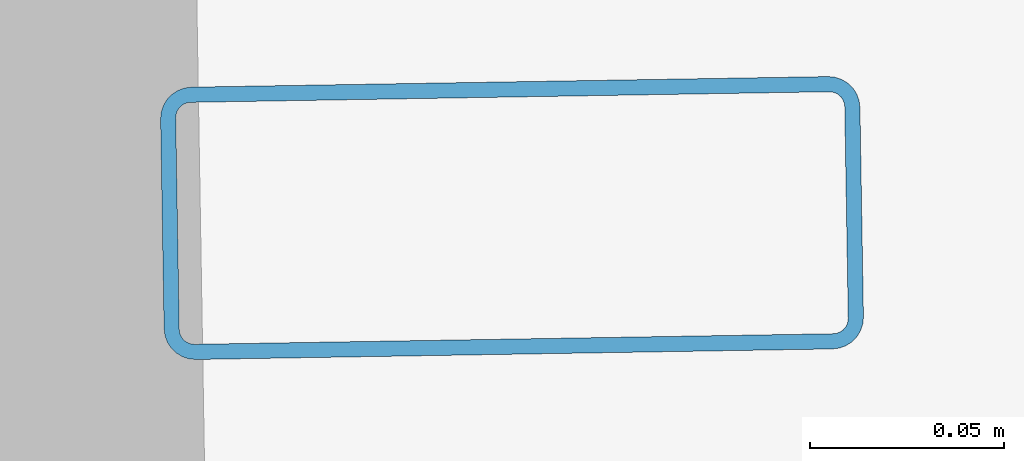
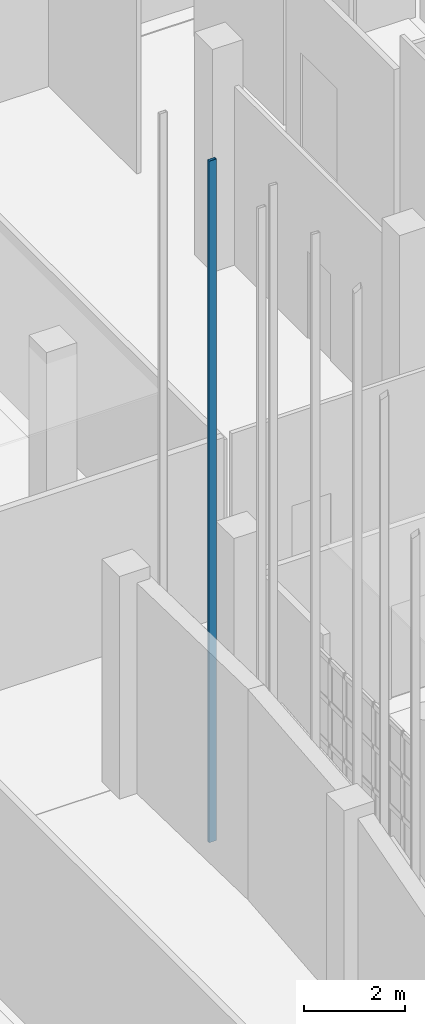
# One storey, part 233 of 372: 1 member.
"""IFC4 building model written with IfcOpenShell, lengths in metres."""

from ifc_helpers import new_model, si_unit, direction, frame, origin, origin_2d, place, context, subcontext, project, spatial, hollow_rectangle, extrude, material, material_profile, profile_set, type_object, element, save


model = new_model("IFC4")

# Units and contexts
model_context = context("Model", 3, precision=1e-05, world=origin(), true_north=direction((0.0, 1.0)))
body_context = subcontext(model_context, "Body", "Model", "MODEL_VIEW")
ifc_project = project(units=[si_unit("LENGTHUNIT", "METRE"), si_unit("AREAUNIT", "SQUARE_METRE"), si_unit("VOLUMEUNIT", "CUBIC_METRE"), si_unit("PLANEANGLEUNIT", "RADIAN"), si_unit("MASSUNIT", "GRAM", prefix="KILO")], contexts=[model_context])

# Site, building, storey
site_placement = place(None, origin())
site = spatial("IfcSite", under=ifc_project, at=site_placement, CompositionType="ELEMENT")
building_placement = place(site_placement, origin())
building = spatial("IfcBuilding", under=site, at=building_placement, Name="Kaelora Sail Theatre", CompositionType="ELEMENT")
storey_placement = place(building_placement, origin())
storey = spatial("IfcBuildingStorey", under=building, at=storey_placement, Name="L00", CompositionType="ELEMENT", Elevation=0.0)

# Member
ifc_material = material(Name="Anodised aluminium 6063-T6", Category="aluminium")
ifc_material_profile = material_profile(ifc_material, hollow_rectangle(XDim=0.070068359375, YDim=0.179931640625, WallThickness=0.00390625, InnerFilletRadius=0.00390625, OuterFilletRadius=0.008056640625, at=origin_2d()), Name="ALU-MULL 70x180x4")
ifc_profile_set = profile_set([ifc_material_profile], Name="Anodised aluminium 6063-T6")
member_type = type_object("IfcMemberType", Name="ARC-MEM-PST-160", PredefinedType="POST", material=ifc_profile_set)
member_placement = place(storey_placement, frame((104.701904296875, 58.507080078125, 0.0), z_axis=(0.0, 0.0, 1.0), x_axis=(0.016579868188, -0.999862544538, 0.0)))
element("IfcMember", 1, at=member_placement, inside=storey, type_object=member_type, Name="Studio Theatre Sail Drum solar louvre vertical support post C1-2", PredefinedType="POST", context=body_context, shape_type="SweptSolid", body=[
    extrude(hollow_rectangle(XDim=0.070068359375, YDim=0.179931640625, WallThickness=0.00390625, InnerFilletRadius=0.00390625, OuterFilletRadius=0.008056640625, at=origin_2d()), origin(), (0.0, 0.0, 1.0), 16.525390625),
])

save(model, "model.ifc")
